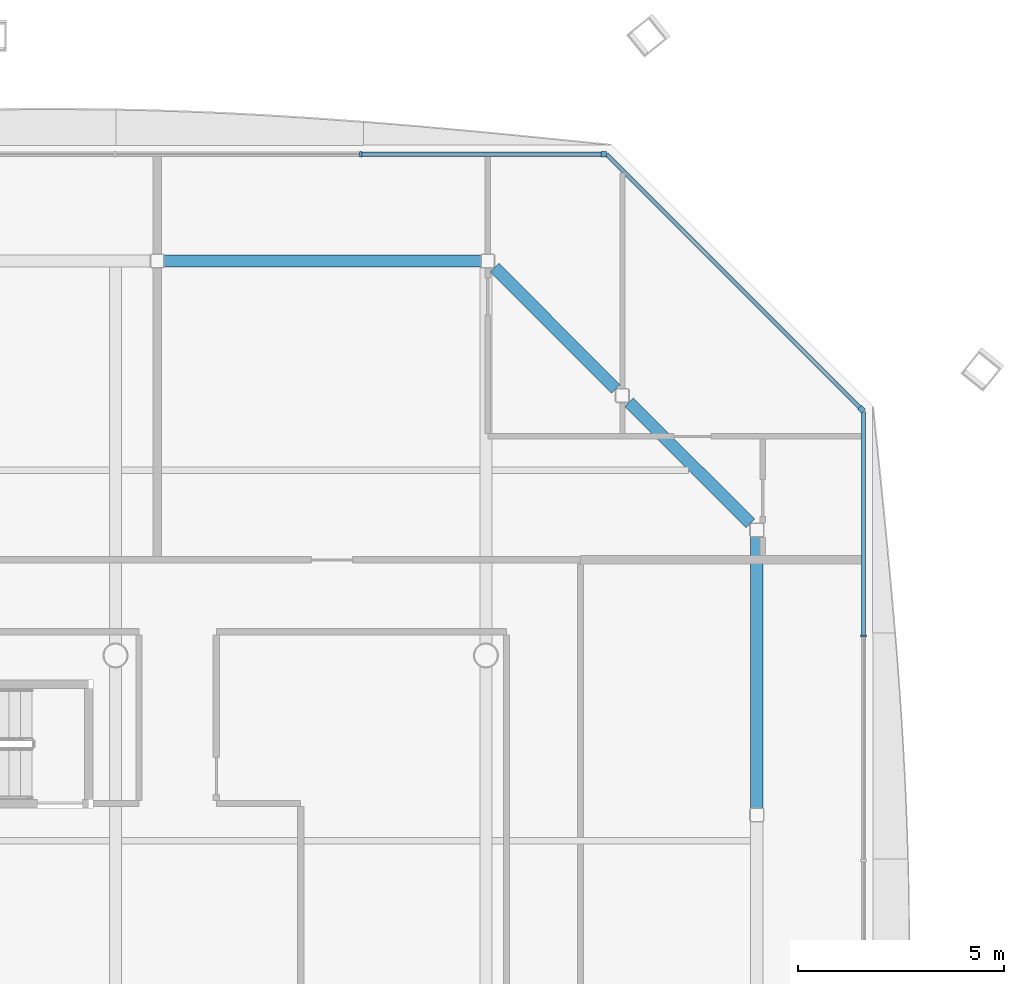
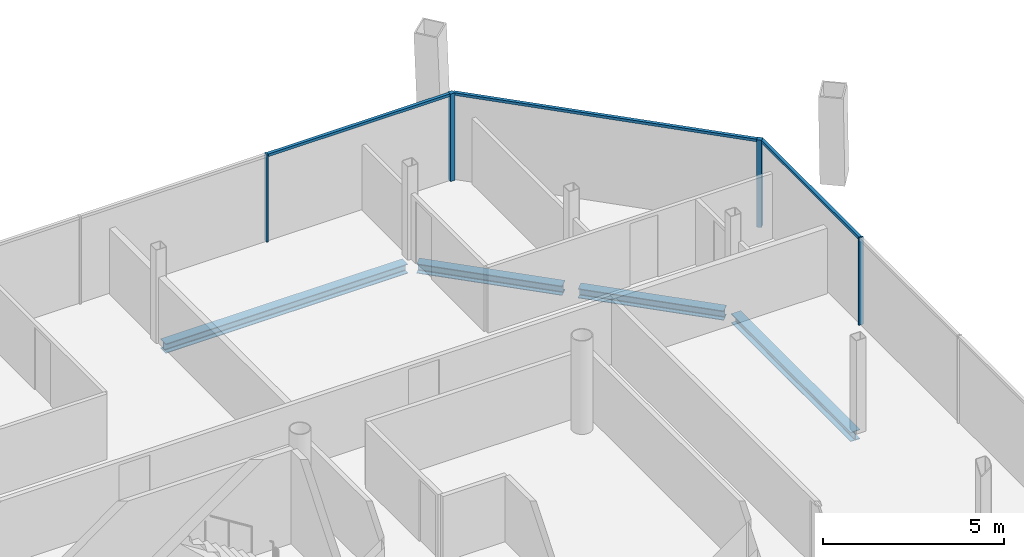
# One storey, part 12 of 20: 7 members, 4 beams, 3 elements without a shape of their own.
"""IFC4 building model written with IfcOpenShell, lengths in metres."""

from ifc_helpers import new_model, si_unit, direction, frame, origin, origin_2d, place, context, subcontext, project, spatial, rectangle, i_section, extrude, material, material_profile, profile_set, type_object, element, aggregate, save


model = new_model("IFC4")

# Units and contexts
model_context = context("Model", 3, precision=1e-05, world=origin(), true_north=direction((0.0, 1.0)))
body_context = subcontext(model_context, "Body", "Model", "MODEL_VIEW")
ifc_project = project(units=[si_unit("LENGTHUNIT", "METRE"), si_unit("AREAUNIT", "SQUARE_METRE"), si_unit("VOLUMEUNIT", "CUBIC_METRE"), si_unit("PLANEANGLEUNIT", "RADIAN"), si_unit("MASSUNIT", "GRAM", prefix="KILO")], contexts=[model_context])

# Site, building, storey
site_placement = place(None, origin())
site = spatial("IfcSite", under=ifc_project, at=site_placement, CompositionType="ELEMENT")
building_placement = place(site_placement, origin())
building = spatial("IfcBuilding", under=site, at=building_placement, Name="Tskaro Facet Tower", CompositionType="ELEMENT")
storey_placement = place(building_placement, frame((0.0, 0.0, 175.35009765625)))
storey = spatial("IfcBuildingStorey", under=building, at=storey_placement, Name="L43", CompositionType="ELEMENT", Elevation=175.35009765625)

# Curtain wall, member
ifc_material_1 = material(Name="Bronze anodised aluminium 6063-T6", Category="aluminium")
curtain_wall_type = type_object("IfcCurtainWallType", Name="Bronze residence curtain wall (FW3)", PredefinedType="NOTDEFINED", material=ifc_material_1)
curtain_wall_1_placement = place(storey_placement, origin())
curtain_wall_1 = element("IfcCurtainWall", 1, at=curtain_wall_1_placement, inside=storey, type_object=curtain_wall_type, Name="FW3 north-east facet L43", PredefinedType="NOTDEFINED")
ifc_material_profile_1 = material_profile(ifc_material_1, rectangle(XDim=0.139892578125, YDim=0.139892578125, at=origin_2d()), Name="Corner post 140x140")
ifc_profile_set_1 = profile_set([ifc_material_profile_1], Name="Bronze anodised aluminium 6063-T6")
member_type_1 = type_object("IfcMemberType", Name="FW3 bronze corner post 140x140", PredefinedType="MULLION", material=ifc_profile_set_1)
member_1_placement = place(storey_placement, frame((18.12646484375, 14.98046875, 0.0), z_axis=(0.0, 0.0, 1.0), x_axis=(-0.707106781187, 0.707106781187, 0.0)))
member_1 = element("IfcMember", 2, at=member_1_placement, type_object=member_type_1, Name="FW3 north-east corner post", PredefinedType="MULLION", context=body_context, shape_type="SweptSolid", body=[
    extrude(rectangle(XDim=0.139892578125, YDim=0.139892578125, at=origin_2d()), origin(), (0.0, 0.0, 1.0), 2.949951171875),
])

curtain_wall_2_placement = place(storey_placement, origin())
curtain_wall_2 = element("IfcCurtainWall", 3, at=curtain_wall_2_placement, inside=storey, type_object=curtain_wall_type, Name="FW3 north facet L43", PredefinedType="NOTDEFINED")
member_2_placement = place(storey_placement, frame((11.861083984375, 21.176025390625, 0.0), z_axis=(0.0, 0.0, 1.0), x_axis=(-1.0, 0.0, 0.0)))
member_2 = element("IfcMember", 4, at=member_2_placement, type_object=member_type_1, Name="FW3 north corner post", PredefinedType="MULLION", context=body_context, shape_type="SweptSolid", body=[
    extrude(rectangle(XDim=0.139892578125, YDim=0.139892578125, at=origin_2d()), origin(), (0.0, 0.0, 1.0), 2.949951171875),
])

curtain_wall_3_placement = place(storey_placement, origin())
curtain_wall_3 = element("IfcCurtainWall", 5, at=curtain_wall_3_placement, inside=storey, type_object=curtain_wall_type, Name="FW3 east facet L43", PredefinedType="NOTDEFINED")
ifc_material_profile_2 = material_profile(ifc_material_1, rectangle(XDim=0.050048828125, YDim=0.139892578125, at=origin_2d()), Name="Mullion 50x140")
ifc_profile_set_2 = profile_set([ifc_material_profile_2], Name="Bronze anodised aluminium 6063-T6")
member_type_2 = type_object("IfcMemberType", Name="FW3 bronze mullion 50x140", PredefinedType="MULLION", material=ifc_profile_set_2)
member_3_placement = place(storey_placement, frame((18.176025390625, 9.475830078125, 0.0), z_axis=(0.0, 0.0, 1.0), x_axis=(0.0, 1.0, 0.0)))
member_3 = element("IfcMember", 6, at=member_3_placement, type_object=member_type_2, Name="FW3 east mullion 5", PredefinedType="MULLION", context=body_context, shape_type="SweptSolid", body=[
    extrude(rectangle(XDim=0.050048828125, YDim=0.139892578125, at=origin_2d()), origin(), (0.0, 0.0, 1.0), 2.949951171875),
])

# Member
member_4_placement = place(storey_placement, frame((5.95849609375, 21.176025390625, 0.0), z_axis=(0.0, 0.0, 1.0), x_axis=(-1.0, 0.0, 0.0)))
member_4 = element("IfcMember", 7, at=member_4_placement, type_object=member_type_2, Name="FW3 north mullion 1", PredefinedType="MULLION", context=body_context, shape_type="SweptSolid", body=[
    extrude(rectangle(XDim=0.050048828125, YDim=0.139892578125, at=origin_2d()), origin(), (0.0, 0.0, 1.0), 2.949951171875),
])

ifc_material_profile_3 = material_profile(ifc_material_1, rectangle(XDim=0.10009765625, YDim=0.090087890625, at=origin_2d()), Name="Transom 100x90")
ifc_profile_set_3 = profile_set([ifc_material_profile_3], Name="Bronze anodised aluminium 6063-T6")
member_type_3 = type_object("IfcMemberType", Name="FW3 bronze transom 100x90", PredefinedType="USERDEFINED", material=ifc_profile_set_3)
member_5_placement = place(storey_placement, frame((18.176025390625, 9.500732421875, 2.90478515625), z_axis=(0.0, 1.0, 0.0), x_axis=(-1.0, 0.0, 0.0)))
member_5 = element("IfcMember", 8, at=member_5_placement, type_object=member_type_3, Name="FW3 east transom 6.1", ObjectType="TRANSOM", PredefinedType="USERDEFINED", context=body_context, shape_type="SweptSolid", body=[
    extrude(rectangle(XDim=0.10009765625, YDim=0.090087890625, at=origin_2d()), origin(), (0.0, 0.0, 1.0), 5.43017578125),
])

aggregate(curtain_wall_3, [member_3, member_5])

member_6_placement = place(storey_placement, frame((18.076904296875, 15.030029296875, 2.90478515625), z_axis=(-0.707106781187, 0.707106781187, 0.0), x_axis=(-0.707106781187, -0.707106781187, 0.0)))
member_6 = element("IfcMember", 9, at=member_6_placement, type_object=member_type_3, Name="FW3 north-east transom 1.1", ObjectType="TRANSOM", PredefinedType="USERDEFINED", context=body_context, shape_type="SweptSolid", body=[
    extrude(rectangle(XDim=0.10009765625, YDim=0.090087890625, at=origin_2d()), origin(), (0.0, 0.0, 1.0), 8.691650390625),
])

aggregate(curtain_wall_1, [member_1, member_6])

member_7_placement = place(storey_placement, frame((11.791015625, 21.176025390625, 2.90478515625), z_axis=(-1.0, 0.0, 0.0), x_axis=(0.0, -1.0, 0.0)))
member_7 = element("IfcMember", 10, at=member_7_placement, type_object=member_type_3, Name="FW3 north transom 1.1", ObjectType="TRANSOM", PredefinedType="USERDEFINED", context=body_context, shape_type="SweptSolid", body=[
    extrude(rectangle(XDim=0.10009765625, YDim=0.090087890625, at=origin_2d()), origin(), (0.0, 0.0, 1.0), 5.807373046875),
])

aggregate(curtain_wall_2, [member_2, member_4, member_7])

# Beams
ifc_material_2 = material(Name="Steel S355J2", Category="steel")
ifc_material_profile_4 = material_profile(ifc_material_2, i_section(OverallWidth=0.300048828125, OverallDepth=0.320068359375, WebThickness=0.011474609375, FlangeThickness=0.0205078125, FilletRadius=0.027099609375, at=origin_2d()), Name="HE 320 B")
ifc_profile_set_4 = profile_set([ifc_material_profile_4], Name="Steel S355J2")
beam_type = type_object("IfcBeamType", Name="HE 320 B ring beam", PredefinedType="BEAM", material=ifc_profile_set_4)
beam_1_placement = place(storey_placement, frame((15.5830078125, 5.281005859375, -0.300048828125), z_axis=(0.0, 1.0, 0.0), x_axis=(-1.0, 0.0, 0.0)))
element("IfcBeam", 11, at=beam_1_placement, inside=storey, type_object=beam_type, Name="HE 320 B EB9-4", PredefinedType="BEAM", context=body_context, shape_type="SweptSolid", body=[
    extrude(i_section(OverallWidth=0.300048828125, OverallDepth=0.320068359375, WebThickness=0.011474609375, FlangeThickness=0.0205078125, FilletRadius=0.027099609375, at=origin_2d()), origin(), (0.0, 0.0, 1.0), 6.610107421875),
])
for number, where, z_axis, x_axis, name in (
    (12, (15.422119140625, 12.206787109375, -0.300048828125), (-0.70722393913, 0.706989603829, 0.0), (-0.706989603829, -0.70722393913, 0.0), "HE 320 B EB10-4"),
    (13, (12.153076171875, 15.474853515625, -0.300048828125), (-0.706989603829, 0.70722393913, 0.0), (-0.70722393913, -0.706989603829, 0.0), "HE 320 B EB11-4"),
):
    element("IfcBeam", number, at=place(storey_placement, frame(where, z_axis=z_axis, x_axis=x_axis)), inside=storey, type_object=beam_type, Name=name, PredefinedType="BEAM", context=body_context, shape_type="SweptSolid", body=[
        extrude(i_section(OverallWidth=0.300048828125, OverallDepth=0.320068359375, WebThickness=0.011474609375, FlangeThickness=0.0205078125, FilletRadius=0.027099609375, at=origin_2d()), origin(), (0.0, 0.0, 1.0), 4.16748046875),
    ])
beam_2_placement = place(storey_placement, frame((8.89111328125, 18.5830078125, -0.300048828125), z_axis=(-1.0, 0.0, 0.0), x_axis=(0.0, -1.0, 0.0)))
element("IfcBeam", 14, at=beam_2_placement, inside=storey, type_object=beam_type, Name="HE 320 B EB12-4", PredefinedType="BEAM", context=body_context, shape_type="SweptSolid", body=[
    extrude(i_section(OverallWidth=0.300048828125, OverallDepth=0.320068359375, WebThickness=0.011474609375, FlangeThickness=0.0205078125, FilletRadius=0.027099609375, at=origin_2d()), origin(), (0.0, 0.0, 1.0), 7.72119140625),
])

save(model, "model.ifc")
